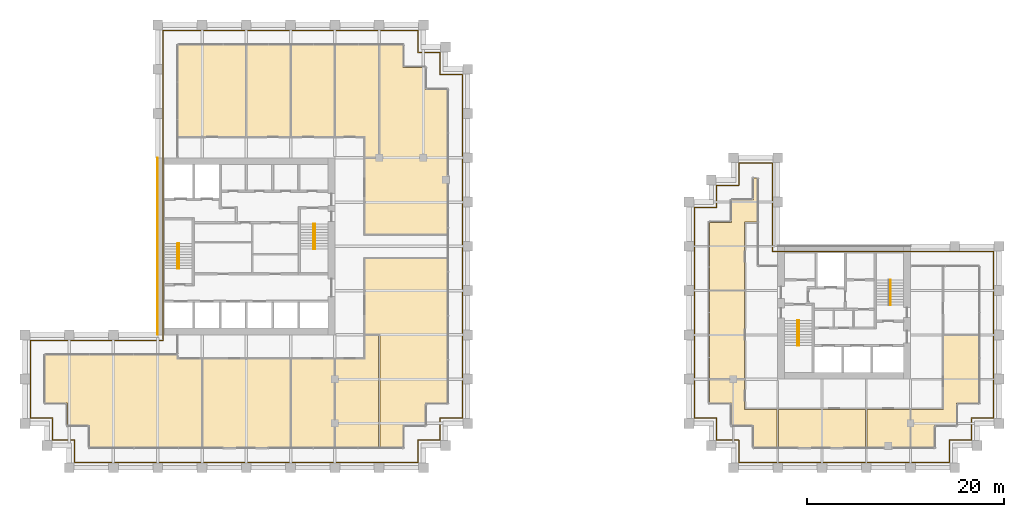
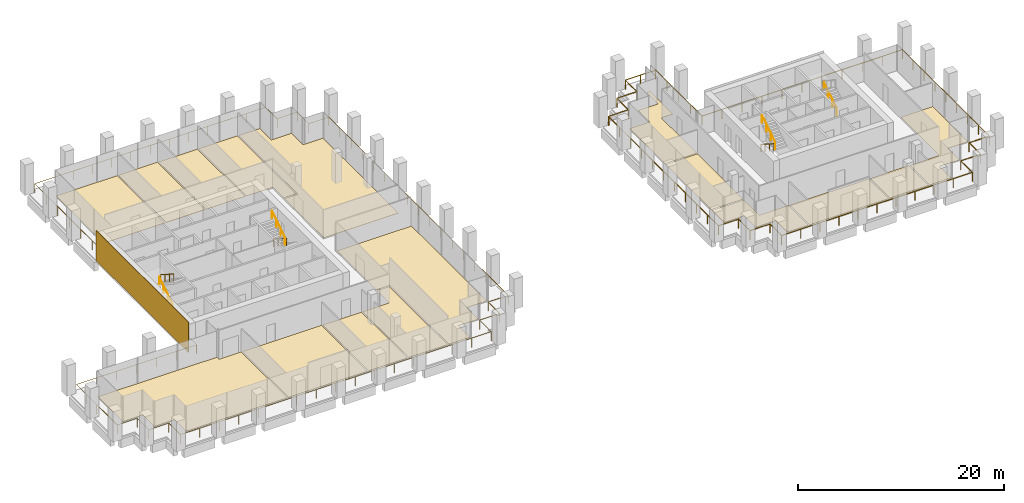
# One storey, part 45 of 46: 17 coverings, 9 railings.
"""IFC4 building model written with IfcOpenShell, lengths in metres."""

import ifcopenshell
import ifcopenshell.guid

model = None  # the IFC model being written
_history = None  # IfcOwnerHistory: only IFC2X3 demands one
_inside = {}  # id of a spatial element -> (the spatial element, [elements in it])
_under = {}  # id of a project, library or spatial element -> (it, [spatial elements below it])
_declared = {}  # id of a project -> (the project, [libraries it declares])
_typed = {}  # id of a type object -> (the type object, [elements of that type])
_made_of = {}  # id of a material, layer set ... -> (it, [elements and type objects made of it])


def new_model(schema):
    """Start an empty IFC model of exactly this schema.

    Asked for "IFC4X3", IfcOpenShell would pick the latest addendum, in which some entities
    have other attributes; the version numbers below select the first issue.
    IFC2X3 requires an IfcOwnerHistory on every rooted entity: one is made here for all.
    """
    global model, _history
    if schema == "IFC4X3":
        model = ifcopenshell.file(schema_version=(4, 3, 0, 0))
    else:
        model = ifcopenshell.file(schema=schema)
    _inside.clear()
    _under.clear()
    _declared.clear()
    _typed.clear()
    _made_of.clear()
    _history = None
    if model.schema == "IFC2X3":
        org = make("IfcOrganization", Name="unknown")
        user = make(
            "IfcPersonAndOrganization",
            ThePerson=make("IfcPerson", FamilyName="unknown"),
            TheOrganization=org,
        )
        app = make(
            "IfcApplication",
            ApplicationDeveloper=org,
            Version="unknown",
            ApplicationFullName="unknown",
            ApplicationIdentifier="unknown",
        )
        _history = make(
            "IfcOwnerHistory",
            OwningUser=user,
            OwningApplication=app,
            ChangeAction="ADDED",
            CreationDate=0,
        )
    return model


def make(cls, **values):
    """One entity of the class cls with the attributes given. An attribute that is None is left unset."""
    return model.create_entity(
        cls, **{name: value for name, value in values.items() if value is not None}
    )


def rooted(cls, **values):
    """An entity with a GlobalId (a new one), such as an element, a storey or a relation."""
    return make(cls, GlobalId=ifcopenshell.guid.new(), OwnerHistory=_history, **values)


def si_unit(unit_type, name, prefix=None):
    """IfcSIUnit, for example si_unit("LENGTHUNIT", "METRE", prefix="MILLI")."""
    return make("IfcSIUnit", UnitType=unit_type, Prefix=prefix, Name=name)


def assignment(units):
    """IfcUnitAssignment: the units of a project."""
    return None if units is None else make("IfcUnitAssignment", Units=units)


def point(xyz):
    """IfcCartesianPoint."""
    return None if xyz is None else make("IfcCartesianPoint", Coordinates=xyz)


def direction(xyz):
    """IfcDirection."""
    return None if xyz is None else make("IfcDirection", DirectionRatios=xyz)


def frame(location, z_axis=None, x_axis=None):
    """IfcAxis2Placement3D, a coordinate frame: its origin and axes. An axis left out is left unset."""
    return make(
        "IfcAxis2Placement3D",
        Location=point(location),
        Axis=direction(z_axis),
        RefDirection=direction(x_axis),
    )


def frame_2d(location, x_axis=None):
    """IfcAxis2Placement2D, a coordinate frame in the plane: its origin and x axis."""
    return make(
        "IfcAxis2Placement2D", Location=point(location), RefDirection=direction(x_axis)
    )


def origin():
    """The frame at (0, 0, 0) with its axes left unset."""
    return frame((0.0, 0.0, 0.0))


def origin_2d():
    """The frame at (0, 0) in the plane with its x axis left unset."""
    return frame_2d((0.0, 0.0))


def place(relative_to, where):
    """IfcLocalPlacement: puts the frame where relative to a parent placement (None: the world)."""
    return make(
        "IfcLocalPlacement", PlacementRelTo=relative_to, RelativePlacement=where
    )


def context(
    kind, dimensions, precision=None, world=None, true_north=None, identifier=None
):
    """IfcGeometricRepresentationContext, for example the 3D "Model" context."""
    return make(
        "IfcGeometricRepresentationContext",
        ContextIdentifier=identifier,
        ContextType=kind,
        CoordinateSpaceDimension=dimensions,
        Precision=precision,
        WorldCoordinateSystem=world,
        TrueNorth=true_north,
    )


def subcontext(parent, identifier, kind, view, scale=None):
    """IfcGeometricRepresentationSubContext, for example "Body" below "Model"."""
    return make(
        "IfcGeometricRepresentationSubContext",
        ContextIdentifier=identifier,
        ContextType=kind,
        ParentContext=parent,
        TargetScale=scale,
        TargetView=view,
    )


def project(units=None, contexts=None):
    """IfcProject with its units and contexts."""
    return rooted(
        "IfcProject",
        Name="project",
        RepresentationContexts=contexts,
        UnitsInContext=assignment(units),
    )


def spatial(cls, under=None, at=None, **own):
    """A site, building, storey or space (cls), placed at a placement, below another one or the project."""
    s = rooted(cls, ObjectPlacement=at, **own)
    if under is not None:
        _under.setdefault(under.id(), (under, []))[1].append(s)
    return s


def polyline(points):
    """IfcPolyline through the points."""
    return make("IfcPolyline", Points=[point(p) for p in points])


def profile(cls, at=None, kind="AREA", **sizes):
    """A parametric profile (cls). Its sizes go by their IFC names, for example OverallWidth=200.0."""
    return make(cls, ProfileType=kind, Position=at, **sizes)


def rectangle(**sizes):
    """IfcRectangleProfileDef."""
    return profile("IfcRectangleProfileDef", **sizes)


def circle(**sizes):
    """IfcCircleProfileDef."""
    return profile("IfcCircleProfileDef", **sizes)


def outline(outer, holes=None, kind="AREA"):
    """IfcArbitraryClosedProfileDef: a profile drawn as a closed curve; with holes, ...WithVoids."""
    if holes is None:
        return make("IfcArbitraryClosedProfileDef", ProfileType=kind, OuterCurve=outer)
    return make(
        "IfcArbitraryProfileDefWithVoids",
        ProfileType=kind,
        OuterCurve=outer,
        InnerCurves=holes,
    )


def extrude(swept, where, along, depth):
    """IfcExtrudedAreaSolid: the profile swept, set in the frame where, extruded along a direction by depth."""
    return make(
        "IfcExtrudedAreaSolid",
        SweptArea=swept,
        Position=where,
        ExtrudedDirection=direction(along),
        Depth=depth,
    )


def shape(context_of_items, identifier, shape_type, items):
    """IfcShapeRepresentation: the items that make up one representation, for example the "Body"."""
    return make(
        "IfcShapeRepresentation",
        ContextOfItems=context_of_items,
        RepresentationIdentifier=identifier,
        RepresentationType=shape_type,
        Items=items,
    )


def source(mapping_origin, context_of_items, identifier, shape_type, items):
    """IfcRepresentationMap: a shape defined once, which mapped items show again and again."""
    return make(
        "IfcRepresentationMap",
        MappingOrigin=mapping_origin,
        MappedRepresentation=shape(context_of_items, identifier, shape_type, items),
    )


def transform(
    local_origin,
    x_axis=None,
    y_axis=None,
    z_axis=None,
    scale=None,
    scale2=None,
    scale3=None,
    uniform=True,
):
    """IfcCartesianTransformationOperator3D, or its non-uniform kind. x_axis, y_axis, z_axis: its Axis1, 2, 3."""
    if uniform:
        return make(
            "IfcCartesianTransformationOperator3D",
            Axis1=direction(x_axis),
            Axis2=direction(y_axis),
            LocalOrigin=point(local_origin),
            Scale=scale,
            Axis3=direction(z_axis),
        )
    return make(
        "IfcCartesianTransformationOperator3DnonUniform",
        Axis1=direction(x_axis),
        Axis2=direction(y_axis),
        LocalOrigin=point(local_origin),
        Scale=scale,
        Axis3=direction(z_axis),
        Scale2=scale2,
        Scale3=scale3,
    )


def mapped(mapping_source, mapping_target):
    """IfcMappedItem: shows the shape of a source again, moved by a transform."""
    return make(
        "IfcMappedItem", MappingSource=mapping_source, MappingTarget=mapping_target
    )


def material(Name=None, Category=None):
    """IfcMaterial."""
    return make("IfcMaterial", Name=Name, Category=Category)


def layer(
    of_material, thickness, ventilated=None, Name=None, Category=None, Priority=None
):
    """IfcMaterialLayer: one layer of a wall or slab, of a material (None: an air gap)."""
    return make(
        "IfcMaterialLayer",
        Material=of_material,
        LayerThickness=thickness,
        IsVentilated=ventilated,
        Name=Name,
        Category=Category,
        Priority=Priority,
    )


def layer_set(layers, Name=None):
    """IfcMaterialLayerSet."""
    return make("IfcMaterialLayerSet", MaterialLayers=layers, LayerSetName=Name)


def made_of(thing, what):
    """Note that an element or type object is made of a material, layer set ...; save() writes the relation."""
    if what is not None:
        _made_of.setdefault(what.id(), (what, []))[1].append(thing)
    return thing


def type_object(cls, material=None, **own):
    """A type object (cls), such as IfcWallType, which elements share."""
    return made_of(rooted(cls, **own), material)


def element(
    cls,
    number,
    at=None,
    inside=None,
    cuts=None,
    type_object=None,
    material=None,
    context=None,
    identifier="Body",
    shape_type=None,
    held_by="IfcProductDefinitionShape",
    body=None,
    shapes=None,
    **own,
):
    """One element of the class cls, such as IfcWall. Its Tag is "e" and its number.

    at: its placement. inside: the storey or other place that contains it. cuts: it is an
    opening in that element (IfcRelVoidsElement). A single representation is given by context,
    identifier, shape_type and body (its items); several are given by shapes. held_by: the class
    of the entity that holds the representations. save() writes the other relations.
    """
    e = rooted(cls, Tag="e%d" % number, ObjectPlacement=at, **own)
    if body is not None:
        shapes = [shape(context, identifier, shape_type, body)]
    if shapes is not None:
        e.Representation = make(held_by, Representations=shapes)
    if inside is not None:
        _inside.setdefault(inside.id(), (inside, []))[1].append(e)
    if cuts is not None:
        rooted(
            "IfcRelVoidsElement", RelatingBuildingElement=cuts, RelatedOpeningElement=e
        )
    if type_object is not None:
        _typed.setdefault(type_object.id(), (type_object, []))[1].append(e)
    return made_of(e, material)


def aggregate(whole, parts):
    """IfcRelAggregates: a whole, such as a stair, and the parts it consists of."""
    return rooted("IfcRelAggregates", RelatingObject=whole, RelatedObjects=parts)


def save(model, path):
    """Write the relations noted so far, then the file.

    IfcRelAggregates (storeys below a building ...), IfcRelContainedInSpatialStructure (elements
    in a storey), IfcRelDefinesByType, IfcRelAssociatesMaterial and IfcRelDeclares: one each for
    every whole, place, type object, material and project.
    """
    for whole, parts in _under.values():
        aggregate(whole, parts)
    for where, things in _inside.values():
        rooted(
            "IfcRelContainedInSpatialStructure",
            RelatedElements=things,
            RelatingStructure=where,
        )
    for kind, things in _typed.values():
        rooted("IfcRelDefinesByType", RelatedObjects=things, RelatingType=kind)
    for what, things in _made_of.values():
        rooted("IfcRelAssociatesMaterial", RelatedObjects=things, RelatingMaterial=what)
    for by, libraries in _declared.values():
        rooted("IfcRelDeclares", RelatingContext=by, RelatedDefinitions=libraries)
    model.write(path)


model = new_model("IFC4")

# Units and contexts
model_context = context("Model", 3, precision=1e-05, world=origin(), true_north=direction((0.0, 1.0)))
body_context = subcontext(model_context, "Body", "Model", "MODEL_VIEW")
ifc_project = project(units=[si_unit("LENGTHUNIT", "METRE"), si_unit("AREAUNIT", "SQUARE_METRE"), si_unit("VOLUMEUNIT", "CUBIC_METRE"), si_unit("PLANEANGLEUNIT", "RADIAN"), si_unit("MASSUNIT", "GRAM", prefix="KILO")], contexts=[model_context])

# Site, building, storey
site_placement = place(None, origin())
site = spatial("IfcSite", under=ifc_project, at=site_placement, CompositionType="ELEMENT")
building_placement = place(site_placement, origin())
building = spatial("IfcBuilding", under=site, at=building_placement, Name="Altepetl Exchange Towers", CompositionType="ELEMENT")
storey_placement = place(building_placement, frame((0.0, 0.0, 120.800048828125)))
storey = spatial("IfcBuildingStorey", under=building, at=storey_placement, Name="L29", CompositionType="ELEMENT", Elevation=120.800048828125)

# Coverings
ifc_material_1 = material(Name="Carpet tile")
ifc_layer_1 = layer(ifc_material_1, 0.02001953125)
ifc_layer_set_1 = layer_set([ifc_layer_1], Name="Carpet tile")
covering_type_1 = type_object("IfcCoveringType", Name="Carpet tile floor", PredefinedType="FLOORING", material=ifc_layer_set_1)
covering_1_placement = place(storey_placement, origin())
element("IfcCovering", 1, at=covering_1_placement, inside=storey, type_object=covering_type_1, Name="Open office floor finish A29.01", PredefinedType="FLOORING", context=body_context, shape_type="SweptSolid", body=[
    extrude(outline(polyline([(33.5625, 29.0625), (44.9375, 29.0625), (44.9375, 38.03759765625), (42.4375, 38.03759765625), (42.4375, 38.4375), (29.0625, 38.4375), (29.0625, 33.5625), (31.3125, 33.5625), (31.3125, 31.3125), (33.5625, 31.3125), (33.5625, 29.0625)])), origin(), (0.0, 0.0, 1.0), 0.02001953125),
])
covering_2_placement = place(storey_placement, origin())
element("IfcCovering", 2, at=covering_2_placement, inside=storey, type_object=covering_type_1, Name="Research office floor finish A29.02", PredefinedType="FLOORING", context=body_context, shape_type="SweptSolid", body=[
    extrude(outline(polyline([(53.9375, 29.0625), (53.9375, 38.03759765625), (45.0625, 38.03759765625), (45.0625, 29.0625), (53.9375, 29.0625)])), origin(), (0.0, 0.0, 1.0), 0.02001953125),
])
covering_3_placement = place(storey_placement, origin())
element("IfcCovering", 3, at=covering_3_placement, inside=storey, type_object=covering_type_1, Name="Quiet room floor finish A29.03", PredefinedType="FLOORING", context=body_context, shape_type="SweptSolid", body=[
    extrude(outline(polyline([(58.4375, 29.0625), (58.4375, 38.03759765625), (54.0625, 38.03759765625), (54.0625, 29.0625), (58.4375, 29.0625)])), origin(), (0.0, 0.0, 1.0), 0.02001953125),
])
covering_4_placement = place(storey_placement, origin())
element("IfcCovering", 4, at=covering_4_placement, inside=storey, type_object=covering_type_1, Name="Interview room floor finish A29.04", PredefinedType="FLOORING", context=body_context, shape_type="SweptSolid", body=[
    extrude(outline(polyline([(62.9375, 29.0625), (62.9375, 40.4375), (61.5625, 40.4375), (61.5625, 38.03759765625), (58.5625, 38.03759765625), (58.5625, 29.0625), (62.9375, 29.0625)])), origin(), (0.0, 0.0, 1.0), 0.02001953125),
])
covering_5_placement = place(storey_placement, origin())
element("IfcCovering", 5, at=covering_5_placement, inside=storey, type_object=covering_type_1, Name="Research office floor finish A29.05", PredefinedType="FLOORING", context=body_context, shape_type="SweptSolid", body=[
    extrude(outline(polyline([(67.6875, 31.3125), (67.6875, 33.5625), (69.9375, 33.5625), (69.9375, 48.237548828125), (61.5625, 48.237548828125), (61.5625, 40.5625), (63.0625, 40.5625), (63.0625, 29.0625), (65.4375, 29.0625), (65.4375, 31.3125), (67.6875, 31.3125)])), origin(), (0.0, 0.0, 1.0), 0.02001953125),
])
covering_6_placement = place(storey_placement, origin())
element("IfcCovering", 6, at=covering_6_placement, inside=storey, type_object=covering_type_1, Name="Open office floor finish A29.06", PredefinedType="FLOORING", context=body_context, shape_type="SweptSolid", body=[
    extrude(outline(polyline([(61.5625, 50.762451171875), (69.9375, 50.762451171875), (69.9375, 65.4375), (67.6875, 65.4375), (67.6875, 67.6875), (65.4375, 67.6875), (65.4375, 69.9375), (63.0625, 69.9375), (63.0625, 58.4375), (61.5625, 58.4375), (61.5625, 50.762451171875)])), origin(), (0.0, 0.0, 1.0), 0.02001953125),
])
covering_7_placement = place(storey_placement, origin())
element("IfcCovering", 7, at=covering_7_placement, inside=storey, type_object=covering_type_1, Name="Seminar room floor finish A29.07", PredefinedType="FLOORING", context=body_context, shape_type="SweptSolid", body=[
    extrude(outline(polyline([(61.5625, 58.5625), (62.9375, 58.5625), (62.9375, 69.9375), (58.5625, 69.9375), (58.5625, 60.66259765625), (61.5625, 60.66259765625), (61.5625, 58.5625)])), origin(), (0.0, 0.0, 1.0), 0.02001953125),
])
covering_8_placement = place(storey_placement, origin())
element("IfcCovering", 8, at=covering_8_placement, inside=storey, type_object=covering_type_1, Name="Quiet room floor finish A29.08", PredefinedType="FLOORING", context=body_context, shape_type="SweptSolid", body=[
    extrude(outline(polyline([(58.4375, 60.66259765625), (58.4375, 69.9375), (54.0625, 69.9375), (54.0625, 60.66259765625), (58.4375, 60.66259765625)])), origin(), (0.0, 0.0, 1.0), 0.02001953125),
])
covering_9_placement = place(storey_placement, origin())
element("IfcCovering", 9, at=covering_9_placement, inside=storey, type_object=covering_type_1, Name="Open office floor finish A29.10", PredefinedType="FLOORING", context=body_context, shape_type="SweptSolid", body=[
    extrude(outline(polyline([(49.4375, 60.66259765625), (49.4375, 69.9375), (42.5625, 69.9375), (42.5625, 60.66259765625), (49.4375, 60.66259765625)])), origin(), (0.0, 0.0, 1.0), 0.02001953125),
])
covering_10_placement = place(storey_placement, origin())
element("IfcCovering", 10, at=covering_10_placement, inside=storey, type_object=covering_type_1, Name="Cowork office floor finish B29.01", PredefinedType="FLOORING", context=body_context, shape_type="SweptSolid", body=[
    extrude(outline(polyline([(100.137451171875, 44.9375), (96.5625, 44.9375), (96.5625, 36.0625), (100.137451171875, 36.0625), (100.137451171875, 44.9375)])), origin(), (0.0, 0.0, 1.0), 0.02001953125),
])
covering_11_placement = place(storey_placement, origin())
element("IfcCovering", 11, at=covering_11_placement, inside=storey, type_object=covering_type_1, Name="Training room floor finish B29.02", PredefinedType="FLOORING", context=body_context, shape_type="SweptSolid", body=[
    extrude(outline(polyline([(100.137451171875, 35.9375), (96.5625, 35.9375), (96.5625, 33.5625), (98.8125, 33.5625), (98.8125, 31.3125), (101.0625, 31.3125), (101.0625, 29.0625), (103.4375, 29.0625), (103.4375, 32.9375), (100.137451171875, 32.9375), (100.137451171875, 35.9375)])), origin(), (0.0, 0.0, 1.0), 0.02001953125),
])
covering_12_placement = place(storey_placement, origin())
element("IfcCovering", 12, at=covering_12_placement, inside=storey, type_object=covering_type_1, Name="Cowork office floor finish B29.03", PredefinedType="FLOORING", context=body_context, shape_type="SweptSolid", body=[
    extrude(outline(polyline([(103.5625, 32.9375), (103.5625, 29.0625), (112.4375, 29.0625), (112.4375, 32.9375), (103.5625, 32.9375)])), origin(), (0.0, 0.0, 1.0), 0.02001953125),
])
covering_13_placement = place(storey_placement, origin())
element("IfcCovering", 13, at=covering_13_placement, inside=storey, type_object=covering_type_1, Name="Open office floor finish B29.05", PredefinedType="FLOORING", context=body_context, shape_type="SweptSolid", body=[
    extrude(outline(polyline([(117.0625, 32.9375), (117.0625, 29.0625), (119.4375, 29.0625), (119.4375, 31.3125), (121.6875, 31.3125), (121.6875, 33.5625), (123.9375, 33.5625), (123.9375, 40.4375), (120.362548828125, 40.4375), (120.362548828125, 32.9375), (117.0625, 32.9375)])), origin(), (0.0, 0.0, 1.0), 0.02001953125),
])
covering_14_placement = place(storey_placement, origin())
element("IfcCovering", 14, at=covering_14_placement, inside=storey, type_object=covering_type_1, Name="Cowork office floor finish B29.07", PredefinedType="FLOORING", context=body_context, shape_type="SweptSolid", body=[
    extrude(outline(polyline([(101.0625, 54.1875), (98.8125, 54.1875), (98.8125, 51.9375), (96.5625, 51.9375), (96.5625, 45.0625), (100.137451171875, 45.0625), (100.137451171875, 51.96240234375), (101.4375, 51.96240234375), (101.4375, 56.4375), (101.0625, 56.4375), (101.0625, 54.1875)])), origin(), (0.0, 0.0, 1.0), 0.02001953125),
])
ifc_material_2 = material(Name="Cantera stone", Category="masonry")
ifc_layer_2 = layer(ifc_material_2, 0.030029296875)
ifc_layer_set_2 = layer_set([ifc_layer_2], Name="Cantera stone")
covering_type_2 = type_object("IfcCoveringType", Name="Polished stone floor", PredefinedType="FLOORING", material=ifc_layer_set_2)
covering_15_placement = place(storey_placement, origin())
element("IfcCovering", 15, at=covering_15_placement, inside=storey, type_object=covering_type_2, Name="Lounge floor finish B29.04", PredefinedType="FLOORING", context=body_context, shape_type="SweptSolid", body=[
    extrude(outline(polyline([(112.5625, 32.9375), (112.5625, 29.0625), (116.9375, 29.0625), (116.9375, 32.9375), (112.5625, 32.9375)])), origin(), (0.0, 0.0, 1.0), 0.030029296875),
])
ifc_material_3 = material(Name="Calcium sulphate access floor panel")
ifc_layer_3 = layer(ifc_material_3, 0.0400390625)
ifc_layer_set_3 = layer_set([ifc_layer_3], Name="Calcium sulphate access floor panel")
covering_type_3 = type_object("IfcCoveringType", Name="Raised access floor panels", PredefinedType="FLOORING", material=ifc_layer_set_3)
covering_16_placement = place(storey_placement, origin())
element("IfcCovering", 16, at=covering_16_placement, inside=storey, type_object=covering_type_3, Name="Data room floor finish A29.09", PredefinedType="FLOORING", context=body_context, shape_type="SweptSolid", body=[
    extrude(outline(polyline([(53.9375, 60.66259765625), (53.9375, 69.9375), (49.5625, 69.9375), (49.5625, 60.66259765625), (53.9375, 60.66259765625)])), origin(), (0.0, 0.0, 1.0), 0.0400390625),
])
ifc_material_4 = material(Name="Cantera limestone cladding", Category="masonry")
ifc_layer_4 = layer(ifc_material_4, 0.0400390625)
ifc_layer_set_4 = layer_set([ifc_layer_4], Name="Cantera limestone cladding")
covering_type_4 = type_object("IfcCoveringType", Name="Stone panel 40 cantera", PredefinedType="CLADDING", material=ifc_layer_set_4)
covering_17_placement = place(storey_placement, frame((40.47998046875, 49.5, 0.0), z_axis=(0.0, 0.0, 1.0), x_axis=(0.0, -1.0, 0.0)))
element("IfcCovering", 17, at=covering_17_placement, inside=storey, type_object=covering_type_4, Name="Stone cladding panel", PredefinedType="CLADDING", context=body_context, shape_type="SweptSolid", body=[
    extrude(rectangle(XDim=18.0, YDim=0.0400390625, at=origin_2d()), origin(), (0.0, 0.0, 1.0), 3.60009765625),
])

# Railings
ifc_material_5 = material(Name="Steel S355", Category="steel")
railing_type_1 = type_object("IfcRailingType", Name="Guard 1100 steel posts and rail", PredefinedType="GUARDRAIL", material=ifc_material_5)
shared_shape_1 = source(origin(), body_context, "Body", "SweptSolid", [
    extrude(circle(Radius=0.02099609375, at=origin_2d()), origin(), (0.0, 0.0, 1.0), 1.052001953125),
])
railing_1_placement = place(storey_placement, frame((41.050048828125, 39.949951171875, 0.0)))
element("IfcRailing", 18, at=railing_1_placement, inside=storey, type_object=railing_type_1, Name="Loggia guard", PredefinedType="GUARDRAIL", context=body_context, shape_type="SweptSolid", body=[
    extrude(circle(Radius=0.02392578125, at=origin_2d()), frame((0.0, 0.0, 1.076171875), z_axis=(-1.0, 0.0, 0.0), x_axis=(0.0, -1.0, 0.0)), (0.0, 0.0, 1.0), 13.5),
    extrude(circle(Radius=0.02392578125, at=origin_2d()), frame((-13.5, 0.0, 1.076171875), z_axis=(0.0, -1.0, 0.0), x_axis=(1.0, 0.0, 0.0)), (0.0, 0.0, 1.0), 7.89990234375),
    extrude(circle(Radius=0.02392578125, at=origin_2d()), frame((-13.5, -7.89990234375, 1.076171875), z_axis=(1.0, 0.0, 0.0), x_axis=(0.0, 1.0, 0.0)), (0.0, 0.0, 1.0), 2.25),
    extrude(circle(Radius=0.02392578125, at=origin_2d()), frame((-11.25, -7.89990234375, 1.076171875), z_axis=(0.0, -1.0, 0.0), x_axis=(1.0, 0.0, 0.0)), (0.0, 0.0, 1.0), 2.25),
    extrude(circle(Radius=0.02392578125, at=origin_2d()), frame((-11.25, -10.14990234375, 1.076171875), z_axis=(1.0, 0.0, 0.0), x_axis=(0.0, 1.0, 0.0)), (0.0, 0.0, 1.0), 2.25),
    extrude(circle(Radius=0.02392578125, at=origin_2d()), frame((-9.0, -10.14990234375, 1.076171875), z_axis=(0.0, -1.0, 0.0), x_axis=(1.0, 0.0, 0.0)), (0.0, 0.0, 1.0), 2.25),
    extrude(circle(Radius=0.02392578125, at=origin_2d()), frame((-9.0, -12.39990234375, 1.076171875), z_axis=(1.0, 0.0, 0.0), x_axis=(0.0, 1.0, 0.0)), (0.0, 0.0, 1.0), 34.89990234375),
    extrude(circle(Radius=0.02392578125, at=origin_2d()), frame((25.89990234375, -12.39990234375, 1.076171875), z_axis=(0.0, 1.0, 0.0), x_axis=(-1.0, 0.0, 0.0)), (0.0, 0.0, 1.0), 2.25),
    extrude(circle(Radius=0.02392578125, at=origin_2d()), frame((25.89990234375, -10.14990234375, 1.076171875), z_axis=(1.0, 0.0, 0.0), x_axis=(0.0, 1.0, 0.0)), (0.0, 0.0, 1.0), 2.25),
    extrude(circle(Radius=0.02392578125, at=origin_2d()), frame((28.14990234375, -10.14990234375, 1.076171875), z_axis=(0.0, 1.0, 0.0), x_axis=(-1.0, 0.0, 0.0)), (0.0, 0.0, 1.0), 2.25),
    extrude(circle(Radius=0.02392578125, at=origin_2d()), frame((28.14990234375, -7.89990234375, 1.076171875), z_axis=(1.0, 0.0, 0.0), x_axis=(0.0, 1.0, 0.0)), (0.0, 0.0, 1.0), 2.25),
    extrude(circle(Radius=0.02392578125, at=origin_2d()), frame((30.39990234375, -7.89990234375, 1.076171875), z_axis=(0.0, 1.0, 0.0), x_axis=(-1.0, 0.0, 0.0)), (0.0, 0.0, 1.0), 34.89990234375),
    extrude(circle(Radius=0.02392578125, at=origin_2d()), frame((30.39990234375, 27.0, 1.076171875), z_axis=(-1.0, 0.0, 0.0), x_axis=(0.0, -1.0, 0.0)), (0.0, 0.0, 1.0), 2.25),
    extrude(circle(Radius=0.02392578125, at=origin_2d()), frame((28.14990234375, 27.0, 1.076171875), z_axis=(0.0, 1.0, 0.0), x_axis=(-1.0, 0.0, 0.0)), (0.0, 0.0, 1.0), 2.25),
    extrude(circle(Radius=0.02392578125, at=origin_2d()), frame((28.14990234375, 29.25, 1.076171875), z_axis=(-1.0, 0.0, 0.0), x_axis=(0.0, -1.0, 0.0)), (0.0, 0.0, 1.0), 2.25),
    extrude(circle(Radius=0.02392578125, at=origin_2d()), frame((25.89990234375, 29.25, 1.076171875), z_axis=(0.0, 1.0, 0.0), x_axis=(-1.0, 0.0, 0.0)), (0.0, 0.0, 1.0), 2.25),
    extrude(circle(Radius=0.02392578125, at=origin_2d()), frame((25.89990234375, 31.5, 1.076171875), z_axis=(-1.0, 0.0, 0.0), x_axis=(0.0, -1.0, 0.0)), (0.0, 0.0, 1.0), 25.89990234375),
    extrude(circle(Radius=0.02392578125, at=origin_2d()), frame((0.0, 31.5, 1.076171875), z_axis=(0.0, -1.0, 0.0), x_axis=(1.0, 0.0, 0.0)), (0.0, 0.0, 1.0), 31.39990234375),
    mapped(shared_shape_1, transform((0.0, 0.0, 0.0))),
    mapped(shared_shape_1, transform((-2.25, 0.0, 0.0))),
    mapped(shared_shape_1, transform((-4.5, 0.0, 0.0))),
    mapped(shared_shape_1, transform((-6.75, 0.0, 0.0))),
    mapped(shared_shape_1, transform((-9.0, 0.0, 0.0))),
    mapped(shared_shape_1, transform((-11.25, 0.0, 0.0))),
    mapped(shared_shape_1, transform((-13.5, 0.0, 0.0))),
    mapped(shared_shape_1, transform((-13.5, -1.97509765625, 0.0))),
    mapped(shared_shape_1, transform((-13.5, -3.949951171875, 0.0))),
    mapped(shared_shape_1, transform((-13.5, -5.9248046875, 0.0))),
    mapped(shared_shape_1, transform((-13.5, -7.89990234375, 0.0))),
    mapped(shared_shape_1, transform((-11.25, -7.89990234375, 0.0))),
    mapped(shared_shape_1, transform((-11.25, -10.14990234375, 0.0))),
    mapped(shared_shape_1, transform((-9.0, -10.14990234375, 0.0))),
    mapped(shared_shape_1, transform((-9.0, -12.39990234375, 0.0))),
    mapped(shared_shape_1, transform((-6.81884765625, -12.39990234375, 0.0))),
    mapped(shared_shape_1, transform((-4.637451171875, -12.39990234375, 0.0))),
    mapped(shared_shape_1, transform((-2.456298828125, -12.39990234375, 0.0))),
    mapped(shared_shape_1, transform((-0.27490234375, -12.39990234375, 0.0))),
    mapped(shared_shape_1, transform((1.90625, -12.39990234375, 0.0))),
    mapped(shared_shape_1, transform((4.08740234375, -12.39990234375, 0.0))),
    mapped(shared_shape_1, transform((6.268798828125, -12.39990234375, 0.0))),
    mapped(shared_shape_1, transform((8.449951171875, -12.39990234375, 0.0))),
    mapped(shared_shape_1, transform((10.631103515625, -12.39990234375, 0.0))),
    mapped(shared_shape_1, transform((12.8125, -12.39990234375, 0.0))),
    mapped(shared_shape_1, transform((14.99365234375, -12.39990234375, 0.0))),
    mapped(shared_shape_1, transform((17.1748046875, -12.39990234375, 0.0))),
    mapped(shared_shape_1, transform((19.356201171875, -12.39990234375, 0.0))),
    mapped(shared_shape_1, transform((21.537353515625, -12.39990234375, 0.0))),
    mapped(shared_shape_1, transform((23.71875, -12.39990234375, 0.0))),
    mapped(shared_shape_1, transform((25.89990234375, -12.39990234375, 0.0))),
    mapped(shared_shape_1, transform((25.89990234375, -10.14990234375, 0.0))),
    mapped(shared_shape_1, transform((28.14990234375, -10.14990234375, 0.0))),
    mapped(shared_shape_1, transform((28.14990234375, -7.89990234375, 0.0))),
    mapped(shared_shape_1, transform((30.39990234375, -7.89990234375, 0.0))),
    mapped(shared_shape_1, transform((30.39990234375, -5.71875, 0.0))),
    mapped(shared_shape_1, transform((30.39990234375, -3.537353515625, 0.0))),
    mapped(shared_shape_1, transform((30.39990234375, -1.356201171875, 0.0))),
    mapped(shared_shape_1, transform((30.39990234375, 0.8251953125, 0.0))),
    mapped(shared_shape_1, transform((30.39990234375, 3.00634765625, 0.0))),
    mapped(shared_shape_1, transform((30.39990234375, 5.1875, 0.0))),
    mapped(shared_shape_1, transform((30.39990234375, 7.368896484375, 0.0))),
    mapped(shared_shape_1, transform((30.39990234375, 9.550048828125, 0.0))),
    mapped(shared_shape_1, transform((30.39990234375, 11.731201171875, 0.0))),
    mapped(shared_shape_1, transform((30.39990234375, 13.91259765625, 0.0))),
    mapped(shared_shape_1, transform((30.39990234375, 16.09375, 0.0))),
    mapped(shared_shape_1, transform((30.39990234375, 18.27490234375, 0.0))),
    mapped(shared_shape_1, transform((30.39990234375, 20.456298828125, 0.0))),
    mapped(shared_shape_1, transform((30.39990234375, 22.637451171875, 0.0))),
    mapped(shared_shape_1, transform((30.39990234375, 24.81884765625, 0.0))),
    mapped(shared_shape_1, transform((30.39990234375, 27.0, 0.0))),
    mapped(shared_shape_1, transform((28.14990234375, 27.0, 0.0))),
    mapped(shared_shape_1, transform((28.14990234375, 29.25, 0.0))),
    mapped(shared_shape_1, transform((25.89990234375, 29.25, 0.0))),
    mapped(shared_shape_1, transform((25.89990234375, 31.5, 0.0))),
    mapped(shared_shape_1, transform((23.74169921875, 31.5, 0.0))),
    mapped(shared_shape_1, transform((21.583251953125, 31.5, 0.0))),
    mapped(shared_shape_1, transform((19.4248046875, 31.5, 0.0))),
    mapped(shared_shape_1, transform((17.2666015625, 31.5, 0.0))),
    mapped(shared_shape_1, transform((15.1083984375, 31.5, 0.0))),
    mapped(shared_shape_1, transform((12.949951171875, 31.5, 0.0))),
    mapped(shared_shape_1, transform((10.79150390625, 31.5, 0.0))),
    mapped(shared_shape_1, transform((8.63330078125, 31.5, 0.0))),
    mapped(shared_shape_1, transform((6.47509765625, 31.5, 0.0))),
    mapped(shared_shape_1, transform((4.316650390625, 31.5, 0.0))),
    mapped(shared_shape_1, transform((2.158203125, 31.5, 0.0))),
    mapped(shared_shape_1, transform((0.0, 31.5, 0.0))),
    mapped(shared_shape_1, transform((0.0, 29.257080078125, 0.0))),
    mapped(shared_shape_1, transform((0.0, 27.014404296875, 0.0))),
    mapped(shared_shape_1, transform((0.0, 24.771484375, 0.0))),
    mapped(shared_shape_1, transform((0.0, 22.528564453125, 0.0))),
    mapped(shared_shape_1, transform((0.0, 20.28564453125, 0.0))),
    mapped(shared_shape_1, transform((0.0, 18.04296875, 0.0))),
    mapped(shared_shape_1, transform((0.0, 15.800048828125, 0.0))),
    mapped(shared_shape_1, transform((0.0, 13.55712890625, 0.0))),
    mapped(shared_shape_1, transform((0.0, 11.314453125, 0.0))),
    mapped(shared_shape_1, transform((0.0, 9.071533203125, 0.0))),
    mapped(shared_shape_1, transform((0.0, 6.82861328125, 0.0))),
    mapped(shared_shape_1, transform((0.0, 4.585693359375, 0.0))),
    mapped(shared_shape_1, transform((0.0, 2.343017578125, 0.0))),
    mapped(shared_shape_1, transform((0.0, 0.10009765625, 0.0))),
])
railing_2_placement = place(storey_placement, frame((95.050048828125, 53.449951171875, 0.0)))
element("IfcRailing", 19, at=railing_2_placement, inside=storey, type_object=railing_type_1, Name="Loggia guard", PredefinedType="GUARDRAIL", context=body_context, shape_type="SweptSolid", body=[
    extrude(circle(Radius=0.02392578125, at=origin_2d()), frame((0.0, 0.0, 1.076171875), z_axis=(0.0, -1.0, 0.0), x_axis=(1.0, 0.0, 0.0)), (0.0, 0.0, 1.0), 21.39990234375),
    extrude(circle(Radius=0.02392578125, at=origin_2d()), frame((0.0, -21.39990234375, 1.076171875), z_axis=(1.0, 0.0, 0.0), x_axis=(0.0, 1.0, 0.0)), (0.0, 0.0, 1.0), 2.25),
    extrude(circle(Radius=0.02392578125, at=origin_2d()), frame((2.25, -21.39990234375, 1.076171875), z_axis=(0.0, -1.0, 0.0), x_axis=(1.0, 0.0, 0.0)), (0.0, 0.0, 1.0), 2.25),
    extrude(circle(Radius=0.02392578125, at=origin_2d()), frame((2.25, -23.64990234375, 1.076171875), z_axis=(1.0, 0.0, 0.0), x_axis=(0.0, 1.0, 0.0)), (0.0, 0.0, 1.0), 2.25),
    extrude(circle(Radius=0.02392578125, at=origin_2d()), frame((4.5, -23.64990234375, 1.076171875), z_axis=(0.0, -1.0, 0.0), x_axis=(1.0, 0.0, 0.0)), (0.0, 0.0, 1.0), 2.25),
    extrude(circle(Radius=0.02392578125, at=origin_2d()), frame((4.5, -25.89990234375, 1.076171875), z_axis=(1.0, 0.0, 0.0), x_axis=(0.0, 1.0, 0.0)), (0.0, 0.0, 1.0), 21.39990234375),
    extrude(circle(Radius=0.02392578125, at=origin_2d()), frame((25.89990234375, -25.89990234375, 1.076171875), z_axis=(0.0, 1.0, 0.0), x_axis=(-1.0, 0.0, 0.0)), (0.0, 0.0, 1.0), 2.25),
    extrude(circle(Radius=0.02392578125, at=origin_2d()), frame((25.89990234375, -23.64990234375, 1.076171875), z_axis=(1.0, 0.0, 0.0), x_axis=(0.0, 1.0, 0.0)), (0.0, 0.0, 1.0), 2.25),
    extrude(circle(Radius=0.02392578125, at=origin_2d()), frame((28.14990234375, -23.64990234375, 1.076171875), z_axis=(0.0, 1.0, 0.0), x_axis=(-1.0, 0.0, 0.0)), (0.0, 0.0, 1.0), 2.25),
    extrude(circle(Radius=0.02392578125, at=origin_2d()), frame((28.14990234375, -21.39990234375, 1.076171875), z_axis=(1.0, 0.0, 0.0), x_axis=(0.0, 1.0, 0.0)), (0.0, 0.0, 1.0), 2.25),
    extrude(circle(Radius=0.02392578125, at=origin_2d()), frame((30.39990234375, -21.39990234375, 1.076171875), z_axis=(0.0, 1.0, 0.0), x_axis=(-1.0, 0.0, 0.0)), (0.0, 0.0, 1.0), 16.89990234375),
    extrude(circle(Radius=0.02392578125, at=origin_2d()), frame((30.39990234375, -4.5, 1.076171875), z_axis=(-1.0, 0.0, 0.0), x_axis=(0.0, -1.0, 0.0)), (0.0, 0.0, 1.0), 22.5),
    extrude(circle(Radius=0.02392578125, at=origin_2d()), frame((7.89990234375, -4.5, 1.076171875), z_axis=(0.0, 1.0, 0.0), x_axis=(-1.0, 0.0, 0.0)), (0.0, 0.0, 1.0), 9.0),
    extrude(circle(Radius=0.02392578125, at=origin_2d()), frame((7.89990234375, 4.5, 1.076171875), z_axis=(-1.0, 0.0, 0.0), x_axis=(0.0, -1.0, 0.0)), (0.0, 0.0, 1.0), 3.39990234375),
    extrude(circle(Radius=0.02392578125, at=origin_2d()), frame((4.5, 4.5, 1.076171875), z_axis=(0.0, -1.0, 0.0), x_axis=(1.0, 0.0, 0.0)), (0.0, 0.0, 1.0), 2.25),
    extrude(circle(Radius=0.02392578125, at=origin_2d()), frame((4.5, 2.25, 1.076171875), z_axis=(-1.0, 0.0, 0.0), x_axis=(0.0, -1.0, 0.0)), (0.0, 0.0, 1.0), 2.25),
    extrude(circle(Radius=0.02392578125, at=origin_2d()), frame((2.25, 2.25, 1.076171875), z_axis=(0.0, -1.0, 0.0), x_axis=(1.0, 0.0, 0.0)), (0.0, 0.0, 1.0), 2.25),
    extrude(circle(Radius=0.02392578125, at=origin_2d()), frame((2.25, 0.0, 1.076171875), z_axis=(-1.0, 0.0, 0.0), x_axis=(0.0, -1.0, 0.0)), (0.0, 0.0, 1.0), 2.150146484375),
    mapped(shared_shape_1, transform((0.0, 0.0, 0.0))),
    mapped(shared_shape_1, transform((0.0, -2.139892578125, 0.0))),
    mapped(shared_shape_1, transform((0.0, -4.280029296875, 0.0))),
    mapped(shared_shape_1, transform((0.0, -6.419921875, 0.0))),
    mapped(shared_shape_1, transform((0.0, -8.56005859375, 0.0))),
    mapped(shared_shape_1, transform((0.0, -10.699951171875, 0.0))),
    mapped(shared_shape_1, transform((0.0, -12.83984375, 0.0))),
    mapped(shared_shape_1, transform((0.0, -14.97998046875, 0.0))),
    mapped(shared_shape_1, transform((0.0, -17.119873046875, 0.0))),
    mapped(shared_shape_1, transform((0.0, -19.260009765625, 0.0))),
    mapped(shared_shape_1, transform((0.0, -21.39990234375, 0.0))),
    mapped(shared_shape_1, transform((2.25, -21.39990234375, 0.0))),
    mapped(shared_shape_1, transform((2.25, -23.64990234375, 0.0))),
    mapped(shared_shape_1, transform((4.5, -23.64990234375, 0.0))),
    mapped(shared_shape_1, transform((4.5, -25.89990234375, 0.0))),
    mapped(shared_shape_1, transform((6.639892578125, -25.89990234375, 0.0))),
    mapped(shared_shape_1, transform((8.780029296875, -25.89990234375, 0.0))),
    mapped(shared_shape_1, transform((10.919921875, -25.89990234375, 0.0))),
    mapped(shared_shape_1, transform((13.06005859375, -25.89990234375, 0.0))),
    mapped(shared_shape_1, transform((15.199951171875, -25.89990234375, 0.0))),
    mapped(shared_shape_1, transform((17.33984375, -25.89990234375, 0.0))),
    mapped(shared_shape_1, transform((19.47998046875, -25.89990234375, 0.0))),
    mapped(shared_shape_1, transform((21.619873046875, -25.89990234375, 0.0))),
    mapped(shared_shape_1, transform((23.760009765625, -25.89990234375, 0.0))),
    mapped(shared_shape_1, transform((25.89990234375, -25.89990234375, 0.0))),
    mapped(shared_shape_1, transform((25.89990234375, -23.64990234375, 0.0))),
    mapped(shared_shape_1, transform((28.14990234375, -23.64990234375, 0.0))),
    mapped(shared_shape_1, transform((28.14990234375, -21.39990234375, 0.0))),
    mapped(shared_shape_1, transform((30.39990234375, -21.39990234375, 0.0))),
    mapped(shared_shape_1, transform((30.39990234375, -19.287353515625, 0.0))),
    mapped(shared_shape_1, transform((30.39990234375, -17.1748046875, 0.0))),
    mapped(shared_shape_1, transform((30.39990234375, -15.0625, 0.0))),
    mapped(shared_shape_1, transform((30.39990234375, -12.949951171875, 0.0))),
    mapped(shared_shape_1, transform((30.39990234375, -10.83740234375, 0.0))),
    mapped(shared_shape_1, transform((30.39990234375, -8.72509765625, 0.0))),
    mapped(shared_shape_1, transform((30.39990234375, -6.612548828125, 0.0))),
    mapped(shared_shape_1, transform((30.39990234375, -4.5, 0.0))),
    mapped(shared_shape_1, transform((28.14990234375, -4.5, 0.0))),
    mapped(shared_shape_1, transform((25.89990234375, -4.5, 0.0))),
    mapped(shared_shape_1, transform((23.64990234375, -4.5, 0.0))),
    mapped(shared_shape_1, transform((21.39990234375, -4.5, 0.0))),
    mapped(shared_shape_1, transform((19.14990234375, -4.5, 0.0))),
    mapped(shared_shape_1, transform((16.89990234375, -4.5, 0.0))),
    mapped(shared_shape_1, transform((14.64990234375, -4.5, 0.0))),
    mapped(shared_shape_1, transform((12.39990234375, -4.5, 0.0))),
    mapped(shared_shape_1, transform((10.14990234375, -4.5, 0.0))),
    mapped(shared_shape_1, transform((7.89990234375, -4.5, 0.0))),
    mapped(shared_shape_1, transform((7.89990234375, -2.25, 0.0))),
    mapped(shared_shape_1, transform((7.89990234375, 0.0, 0.0))),
    mapped(shared_shape_1, transform((7.89990234375, 2.25, 0.0))),
    mapped(shared_shape_1, transform((7.89990234375, 4.5, 0.0))),
    mapped(shared_shape_1, transform((6.199951171875, 4.5, 0.0))),
    mapped(shared_shape_1, transform((4.5, 4.5, 0.0))),
    mapped(shared_shape_1, transform((4.5, 2.25, 0.0))),
    mapped(shared_shape_1, transform((2.25, 2.25, 0.0))),
    mapped(shared_shape_1, transform((2.25, 0.0, 0.0))),
    mapped(shared_shape_1, transform((0.099853515625, 0.0, 0.0))),
])
ifc_material_6 = material(Name="Steel", Category="steel")
railing_type_2 = type_object("IfcRailingType", Name="Stair handrail 50 steel tube", PredefinedType="HANDRAIL", material=ifc_material_6)
shared_shape_2 = source(origin(), body_context, "Body", "SweptSolid", [
    extrude(circle(Radius=0.02099609375, at=origin_2d()), origin(), (0.0, 0.0, 1.0), 0.851806640625),
])
railing_3_placement = place(storey_placement, frame((42.52001953125, 47.25, 0.179931640625)))
element("IfcRailing", 20, at=railing_3_placement, inside=storey, type_object=railing_type_2, Name="Stair handrail", PredefinedType="HANDRAIL", context=body_context, shape_type="SweptSolid", body=[
    extrude(circle(Radius=0.02392578125, at=origin_2d()), frame((0.0, 0.0, 0.8759765625), z_axis=(0.0, 0.841162588446, 0.540782303519), x_axis=(-1.0, 0.0, 0.0)), (0.0, 0.0, 1.0), 2.995849609375),
    mapped(shared_shape_2, transform((0.0, 0.0, 0.0))),
    mapped(shared_shape_2, transform((0.0, 0.840087890625, 0.5400390625))),
    mapped(shared_shape_2, transform((0.0, 1.679931640625, 1.080078125))),
    mapped(shared_shape_2, transform((0.0, 2.52001953125, 1.6201171875))),
])
railing_4_placement = place(storey_placement, frame((42.679931640625, 49.77001953125, 1.97998046875)))
element("IfcRailing", 21, at=railing_4_placement, inside=storey, type_object=railing_type_2, Name="Stair handrail", PredefinedType="HANDRAIL", context=body_context, shape_type="SweptSolid", body=[
    extrude(circle(Radius=0.02392578125, at=origin_2d()), frame((0.0, 0.0, 0.8759765625), z_axis=(0.0, -0.841199657755, 0.540724639528), x_axis=(1.0, 0.0, 0.0)), (0.0, 0.0, 1.0), 2.995849609375),
    mapped(shared_shape_2, transform((0.0, 0.0, 0.0))),
    mapped(shared_shape_2, transform((0.0, -0.840087890625, 0.5400390625))),
    mapped(shared_shape_2, transform((0.0, -1.679931640625, 1.079833984375))),
    mapped(shared_shape_2, transform((0.0, -2.52001953125, 1.619873046875))),
])
railing_5_placement = place(storey_placement, frame((56.47998046875, 51.75, 0.179931640625)))
element("IfcRailing", 22, at=railing_5_placement, inside=storey, type_object=railing_type_2, Name="Stair handrail", PredefinedType="HANDRAIL", context=body_context, shape_type="SweptSolid", body=[
    extrude(circle(Radius=0.02392578125, at=origin_2d()), frame((0.0, 0.0, 0.8759765625), z_axis=(0.0, -0.841162588446, 0.540782303519), x_axis=(1.0, 0.0, 0.0)), (0.0, 0.0, 1.0), 2.995849609375),
    mapped(shared_shape_2, transform((0.0, 0.0, 0.0))),
    mapped(shared_shape_2, transform((0.0, -0.840087890625, 0.5400390625))),
    mapped(shared_shape_2, transform((0.0, -1.679931640625, 1.080078125))),
    mapped(shared_shape_2, transform((0.0, -2.52001953125, 1.6201171875))),
])
railing_6_placement = place(storey_placement, frame((56.320068359375, 49.22998046875, 1.97998046875)))
element("IfcRailing", 23, at=railing_6_placement, inside=storey, type_object=railing_type_2, Name="Stair handrail", PredefinedType="HANDRAIL", context=body_context, shape_type="SweptSolid", body=[
    extrude(circle(Radius=0.02392578125, at=origin_2d()), frame((0.0, 0.0, 0.8759765625), z_axis=(0.0, 0.841199657755, 0.540724639528), x_axis=(-1.0, 0.0, 0.0)), (0.0, 0.0, 1.0), 2.995849609375),
    mapped(shared_shape_2, transform((0.0, 0.0, 0.0))),
    mapped(shared_shape_2, transform((0.0, 0.840087890625, 0.5400390625))),
    mapped(shared_shape_2, transform((0.0, 1.679931640625, 1.079833984375))),
    mapped(shared_shape_2, transform((0.0, 2.52001953125, 1.619873046875))),
])
railing_7_placement = place(storey_placement, frame((105.52001953125, 41.949951171875, 0.179931640625)))
element("IfcRailing", 24, at=railing_7_placement, inside=storey, type_object=railing_type_2, Name="Stair handrail", PredefinedType="HANDRAIL", context=body_context, shape_type="SweptSolid", body=[
    extrude(circle(Radius=0.02392578125, at=origin_2d()), frame((0.0, 0.0, 0.8759765625), z_axis=(0.0, -0.841162588446, 0.540782303519), x_axis=(1.0, 0.0, 0.0)), (0.0, 0.0, 1.0), 2.995849609375),
    mapped(shared_shape_2, transform((0.0, 0.0, 0.0))),
    mapped(shared_shape_2, transform((0.0, -0.840087890625, 0.5400390625))),
    mapped(shared_shape_2, transform((0.0, -1.679931640625, 1.080078125))),
    mapped(shared_shape_2, transform((0.0, -2.52001953125, 1.6201171875))),
])
railing_8_placement = place(storey_placement, frame((105.679931640625, 39.429931640625, 1.97998046875)))
element("IfcRailing", 25, at=railing_8_placement, inside=storey, type_object=railing_type_2, Name="Stair handrail", PredefinedType="HANDRAIL", context=body_context, shape_type="SweptSolid", body=[
    extrude(circle(Radius=0.02392578125, at=origin_2d()), frame((0.0, 0.0, 0.8759765625), z_axis=(0.0, 0.841199657755, 0.540724639528), x_axis=(-1.0, 0.0, 0.0)), (0.0, 0.0, 1.0), 2.995849609375),
    mapped(shared_shape_2, transform((0.0, 0.0, 0.0))),
    mapped(shared_shape_2, transform((0.0, 0.840087890625, 0.5400390625))),
    mapped(shared_shape_2, transform((0.0, 1.679931640625, 1.079833984375))),
    mapped(shared_shape_2, transform((0.0, 2.52001953125, 1.619873046875))),
])
railing_9_placement = place(storey_placement, frame((114.97998046875, 43.550048828125, 0.179931640625)))
element("IfcRailing", 26, at=railing_9_placement, inside=storey, type_object=railing_type_2, Name="Stair handrail", PredefinedType="HANDRAIL", context=body_context, shape_type="SweptSolid", body=[
    extrude(circle(Radius=0.02392578125, at=origin_2d()), frame((0.0, 0.0, 0.8759765625), z_axis=(0.0, 0.841162588446, 0.540782303519), x_axis=(-1.0, 0.0, 0.0)), (0.0, 0.0, 1.0), 2.995849609375),
    mapped(shared_shape_2, transform((0.0, 0.0, 0.0))),
    mapped(shared_shape_2, transform((0.0, 0.840087890625, 0.5400390625))),
    mapped(shared_shape_2, transform((0.0, 1.679931640625, 1.080078125))),
    mapped(shared_shape_2, transform((0.0, 2.52001953125, 1.6201171875))),
])

save(model, "model.ifc")
